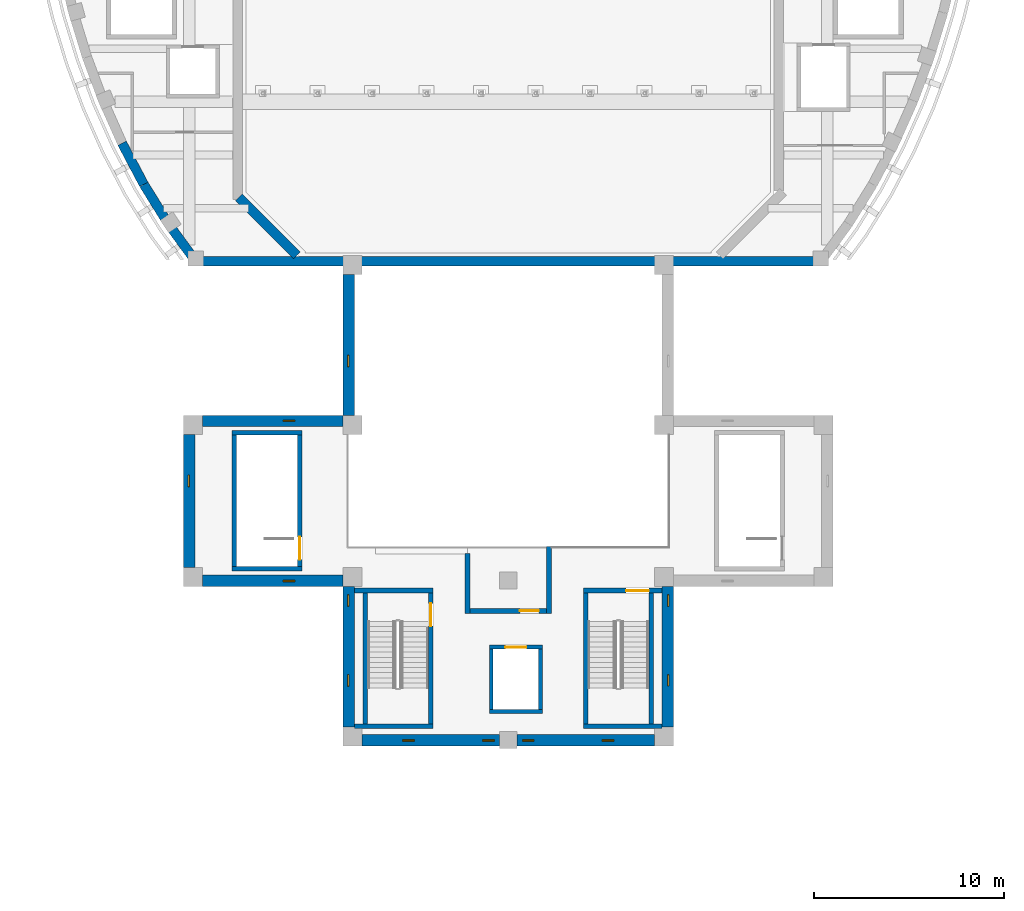
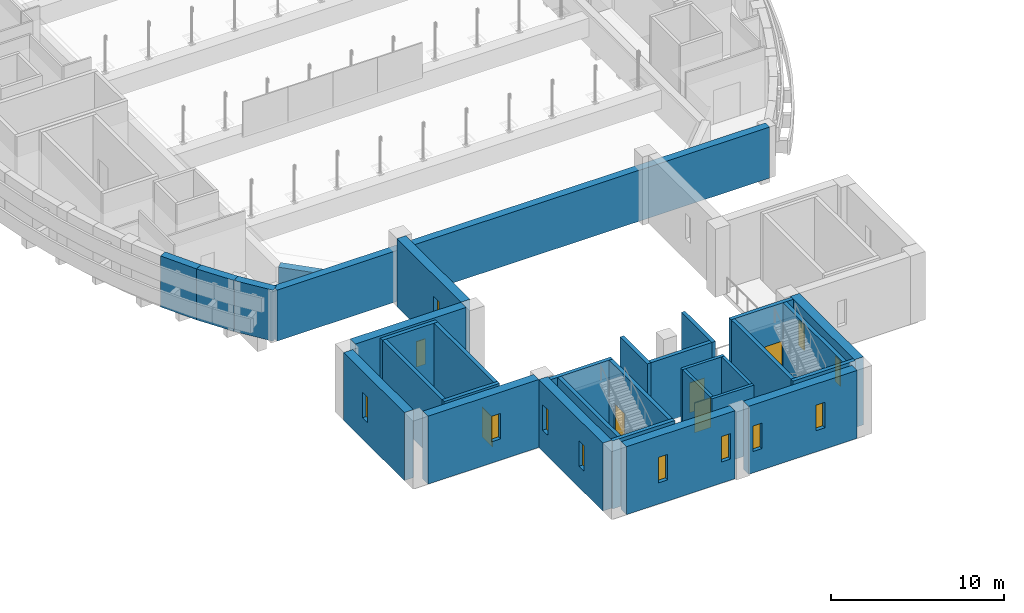
# One storey, part 24 of 47: 32 walls, 12 windows, 5 doors, 17 openings.
"""IFC4 building model written with IfcOpenShell, lengths in metres."""

from ifc_helpers import new_model, si_unit, direction, frame, frame_2d, origin, place, context, subcontext, project, spatial, rectangle, extrude, material, layer, layer_set, type_object, element, fill, save


model = new_model("IFC4")

# Units and contexts
model_context = context("Model", 3, precision=1e-05, world=origin(), true_north=direction((0.0, 1.0)))
body_context = subcontext(model_context, "Body", "Model", "MODEL_VIEW")
ifc_project = project(units=[si_unit("LENGTHUNIT", "METRE"), si_unit("AREAUNIT", "SQUARE_METRE"), si_unit("VOLUMEUNIT", "CUBIC_METRE"), si_unit("PLANEANGLEUNIT", "RADIAN"), si_unit("MASSUNIT", "GRAM", prefix="KILO")], contexts=[model_context])

# Site, building, storey
site_placement = place(None, origin())
site = spatial("IfcSite", under=ifc_project, at=site_placement, CompositionType="ELEMENT")
building_placement = place(site_placement, origin())
building = spatial("IfcBuilding", under=site, at=building_placement, Name="Larchfold Concert Hall", CompositionType="ELEMENT")
storey_placement = place(building_placement, frame((0.0, 0.0, 24.0)))
storey = spatial("IfcBuildingStorey", under=building, at=storey_placement, Name="L05", CompositionType="ELEMENT", Elevation=24.0)

# Walls
ifc_material_1 = material(Name="Plasterboard partition on steel studs", Category="steel")
ifc_layer_1 = layer(ifc_material_1, 0.25)
ifc_layer_set_1 = layer_set([ifc_layer_1], Name="Plasterboard partition on steel studs")
wall_type_1 = type_object("IfcWallType", Name="Hall acoustic double-leaf partition 250", PredefinedType="PARTITIONING", material=ifc_layer_set_1)
wall_1_placement = place(storey_placement, frame((40.449951171875, 40.875, 0.0), z_axis=(0.0, 0.0, 1.0), x_axis=(0.0, 1.0, 0.0)))
element("IfcWall", 1, at=wall_1_placement, inside=storey, type_object=wall_type_1, Name="Partition IW0040", PredefinedType="PARTITIONING", context=body_context, shape_type="SweptSolid", body=[
    extrude(rectangle(XDim=3.14404296875, YDim=0.25, at=frame_2d((1.572021484375, 0.0))), origin(), (0.0, 0.0, 1.0), 4.52001953125),
])
wall_2_placement = place(storey_placement, frame((44.75, 44.39990234375, 0.0), z_axis=(0.0, 0.0, 1.0), x_axis=(0.0, -1.0, 0.0)))
element("IfcWall", 2, at=wall_2_placement, inside=storey, type_object=wall_type_1, Name="Partition IW0041", PredefinedType="PARTITIONING", context=body_context, shape_type="SweptSolid", body=[
    extrude(rectangle(XDim=3.52490234375, YDim=0.25, at=frame_2d((1.762451171875, 0.0))), origin(), (0.0, 0.0, 1.0), 4.52001953125),
])

# Wall, opening, door
wall_3_placement = place(storey_placement, frame((44.625, 41.0, 0.0), z_axis=(0.0, 0.0, 1.0), x_axis=(-1.0, 0.0, 0.0)))
wall_3 = element("IfcWall", 3, at=wall_3_placement, inside=storey, type_object=wall_type_1, Name="Partition IW0042", PredefinedType="PARTITIONING", context=body_context, shape_type="SweptSolid", body=[
    extrude(rectangle(XDim=4.050048828125, YDim=0.25, at=frame_2d((2.02490234375, 0.0))), origin(), (0.0, 0.0, 1.0), 4.52001953125),
])
opening_1_placement = place(wall_3_placement, frame((0.4150390625, 0.0, 0.0)))
opening_1 = element("IfcOpeningElement", 4, at=opening_1_placement, cuts=wall_3, Name="Opening D-L05-108", PredefinedType="OPENING", context=body_context, shape_type="SweptSolid", body=[
    extrude(rectangle(XDim=1.0, YDim=2.10009765625, at=frame_2d((0.5, 1.050048828125))), frame((0.0, 0.135009765625, 0.0), z_axis=(0.0, -1.0, 0.0), x_axis=(1.0, 0.0, 0.0)), (0.0, 0.0, 1.0), 0.27001953125),
])
ifc_material_2 = material(Name="Timber door leaf", Category="wood")
door_type_1 = type_object("IfcDoorType", Name="Practice and studio door, acoustic 1000 x 2100 FD30S", OperationType="SINGLE_SWING_LEFT", PredefinedType="DOOR", material=ifc_material_2)
door_1_placement = place(opening_1_placement, origin())
door_1 = element("IfcDoor", 5, at=door_1_placement, inside=storey, type_object=door_type_1, Name="Door D-L05-108", OperationType="SINGLE_SWING_RIGHT", OverallHeight=2.10009765625, OverallWidth=1.0, PredefinedType="DOOR", context=body_context, shape_type="SweptSolid", body=[
    extrude(rectangle(XDim=1.0, YDim=2.10009765625, at=frame_2d((0.5, 1.050048828125))), frame((0.0, 0.02490234375, 0.0), z_axis=(0.0, -1.0, 0.0), x_axis=(1.0, 0.0, 0.0)), (0.0, 0.0, 1.0), 0.050048828125),
])
fill(opening_1, door_1)

# Wall
ifc_material_3 = material(Name="Concrete C40/50", Category="concrete")
ifc_layer_2 = layer(ifc_material_3, 0.199951171875)
ifc_layer_set_2 = layer_set([ifc_layer_2], Name="Concrete C40/50")
wall_type_2 = type_object("IfcWallType", Name="Wall RC 200 lift shaft", PredefinedType="SOLIDWALL", material=ifc_layer_set_2)
wall_4_placement = place(storey_placement, frame((41.60009765625, 35.7001953125, 0.0), z_axis=(0.0, 0.0, 1.0), x_axis=(1.0, 0.0, 0.0)))
element("IfcWall", 6, at=wall_4_placement, inside=storey, type_object=wall_type_2, Name="Wall W0101", PredefinedType="SOLIDWALL", context=body_context, shape_type="SweptSolid", body=[
    extrude(rectangle(XDim=2.7998046875, YDim=0.199951171875, at=frame_2d((1.39990234375, 0.0))), origin(), (0.0, 0.0, 1.0), 4.800048828125),
])

# Wall, opening, door
wall_5_placement = place(storey_placement, frame((41.60009765625, 39.099853515625, 0.0), z_axis=(0.0, 0.0, 1.0), x_axis=(1.0, 0.0, 0.0)))
wall_5 = element("IfcWall", 7, at=wall_5_placement, inside=storey, type_object=wall_type_2, Name="Wall W0102", PredefinedType="SOLIDWALL", context=body_context, shape_type="SweptSolid", body=[
    extrude(rectangle(XDim=2.7998046875, YDim=0.199951171875, at=frame_2d((1.39990234375, 0.0))), origin(), (0.0, 0.0, 1.0), 4.800048828125),
])
opening_2_placement = place(wall_5_placement, frame((0.849853515625, 0.0, 0.0)))
opening_2 = element("IfcOpeningElement", 8, at=opening_2_placement, cuts=wall_5, Name="Opening LD-LF05", PredefinedType="OPENING", context=body_context, shape_type="SweptSolid", body=[
    extrude(rectangle(XDim=1.10009765625, YDim=2.10009765625, at=frame_2d((0.550048828125, 1.050048828125))), frame((0.0, 0.10986328125, 0.0), z_axis=(0.0, -1.0, 0.0), x_axis=(1.0, 0.0, 0.0)), (0.0, 0.0, 1.0), 0.219970703125),
])
ifc_material_4 = material(Name="Stainless steel sliding leaves", Category="steel")
door_type_2 = type_object("IfcDoorType", Name="Lift landing door sliding 1100 x 2100", OperationType="SLIDING_TO_LEFT", PredefinedType="DOOR", material=ifc_material_4)
door_2_placement = place(opening_2_placement, origin())
door_2 = element("IfcDoor", 9, at=door_2_placement, inside=storey, type_object=door_type_2, Name="Lift landing door LF05", OperationType="SLIDING_TO_LEFT", OverallHeight=2.10009765625, OverallWidth=1.10009765625, PredefinedType="DOOR", context=body_context, shape_type="SweptSolid", body=[
    extrude(rectangle(XDim=1.10009765625, YDim=2.10009765625, at=frame_2d((0.550048828125, 1.050048828125))), frame((0.0, 0.02490234375, 0.0), z_axis=(0.0, -1.0, 0.0), x_axis=(1.0, 0.0, 0.0)), (0.0, 0.0, 1.0), 0.050048828125),
])
fill(opening_2, door_2)

# Walls
for number, where, z_axis, x_axis, name in (
    (10, (41.7001953125, 35.800048828125, 0.0), (0.0, 0.0, 1.0), (0.0, 1.0, 0.0), "Wall W0103"),
    (11, (44.2998046875, 35.800048828125, 0.0), (0.0, 0.0, 1.0), (0.0, 1.0, 0.0), "Wall W0104"),
):
    element("IfcWall", number, at=place(storey_placement, frame(where, z_axis=z_axis, x_axis=x_axis)), inside=storey, type_object=wall_type_2, Name=name, PredefinedType="SOLIDWALL", context=body_context, shape_type="SweptSolid", body=[
        extrude(rectangle(XDim=3.199951171875, YDim=0.199951171875, at=frame_2d((1.60009765625, 0.0))), origin(), (0.0, 0.0, 1.0), 4.800048828125),
    ])
ifc_material_5 = material(Name="Concrete C40/50", Category="concrete")
ifc_layer_3 = layer(ifc_material_5, 0.25)
ifc_layer_set_3 = layer_set([ifc_layer_3], Name="Concrete C40/50")
wall_type_3 = type_object("IfcWallType", Name="Wall RC 250 stair core", PredefinedType="SOLIDWALL", material=ifc_layer_set_3)
for number, where, z_axis, x_axis, name in (
    (12, (28.050048828125, 43.22509765625, 0.0), (0.0, 0.0, 1.0), (1.0, 0.0, 0.0), "Wall W0057"),
    (13, (28.050048828125, 50.375, 0.0), (0.0, 0.0, 1.0), (1.0, 0.0, 0.0), "Wall W0058"),
):
    element("IfcWall", number, at=place(storey_placement, frame(where, z_axis=z_axis, x_axis=x_axis)), inside=storey, type_object=wall_type_3, Name=name, PredefinedType="SOLIDWALL", context=body_context, shape_type="SweptSolid", body=[
        extrude(rectangle(XDim=3.699951171875, YDim=0.25, at=frame_2d((1.85009765625, 0.0))), origin(), (0.0, 0.0, 1.0), 4.800048828125),
    ])
wall_6_placement = place(storey_placement, frame((28.175048828125, 43.35009765625, 0.0), z_axis=(0.0, 0.0, 1.0), x_axis=(0.0, 1.0, 0.0)))
element("IfcWall", 14, at=wall_6_placement, inside=storey, type_object=wall_type_3, Name="Wall W0059", PredefinedType="SOLIDWALL", context=body_context, shape_type="SweptSolid", body=[
    extrude(rectangle(XDim=6.89990234375, YDim=0.25, at=frame_2d((3.449951171875, 0.0))), origin(), (0.0, 0.0, 1.0), 4.800048828125),
])

# Wall, opening, door
wall_7_placement = place(storey_placement, frame((31.625, 43.35009765625, 0.0), z_axis=(0.0, 0.0, 1.0), x_axis=(0.0, 1.0, 0.0)))
wall_7 = element("IfcWall", 15, at=wall_7_placement, inside=storey, type_object=wall_type_3, Name="Wall W0060", PredefinedType="SOLIDWALL", context=body_context, shape_type="SweptSolid", body=[
    extrude(rectangle(XDim=6.89990234375, YDim=0.25, at=frame_2d((3.449951171875, 0.0))), origin(), (0.0, 0.0, 1.0), 4.800048828125),
])
opening_3_placement = place(wall_7_placement, frame((0.35009765625, 0.0, 0.0)))
opening_3 = element("IfcOpeningElement", 16, at=opening_3_placement, cuts=wall_7, Name="Opening D-L05-125", PredefinedType="OPENING", context=body_context, shape_type="SweptSolid", body=[
    extrude(rectangle(XDim=1.199951171875, YDim=2.10009765625, at=frame_2d((0.60009765625, 1.050048828125))), frame((0.0, 0.135009765625, 0.0), z_axis=(0.0, -1.0, 0.0), x_axis=(1.0, 0.0, 0.0)), (0.0, 0.0, 1.0), 0.27001953125),
])
ifc_material_6 = material(Name="Timber door leaf", Category="wood")
door_type_3 = type_object("IfcDoorType", Name="Stair enclosure door pair 1200 x 2100 FD60", OperationType="SINGLE_SWING_LEFT", PredefinedType="DOOR", material=ifc_material_6)
door_3_placement = place(opening_3_placement, origin())
door_3 = element("IfcDoor", 17, at=door_3_placement, inside=storey, type_object=door_type_3, Name="Door D-L05-125", OperationType="DOUBLE_DOOR_SINGLE_SWING", OverallHeight=2.10009765625, OverallWidth=1.199951171875, PredefinedType="DOOR", context=body_context, shape_type="SweptSolid", body=[
    extrude(rectangle(XDim=1.199951171875, YDim=2.10009765625, at=frame_2d((0.60009765625, 1.050048828125))), frame((0.0, 0.02490234375, 0.0), z_axis=(0.0, -1.0, 0.0), x_axis=(1.0, 0.0, 0.0)), (0.0, 0.0, 1.0), 0.050048828125),
])
fill(opening_3, door_3)

# Walls
for number, where, z_axis, x_axis, name in (
    (18, (34.5, 34.925048828125, 0.0), (0.0, 0.0, 1.0), (1.0, 0.0, 0.0), "Wall W0065"),
    (19, (34.5, 42.074951171875, 0.0), (0.0, 0.0, 1.0), (1.0, 0.0, 0.0), "Wall W0066"),
):
    element("IfcWall", number, at=place(storey_placement, frame(where, z_axis=z_axis, x_axis=x_axis)), inside=storey, type_object=wall_type_3, Name=name, PredefinedType="SOLIDWALL", context=body_context, shape_type="SweptSolid", body=[
        extrude(rectangle(XDim=4.14990234375, YDim=0.25, at=frame_2d((2.074951171875, 0.0))), origin(), (0.0, 0.0, 1.0), 4.800048828125),
    ])
wall_8_placement = place(storey_placement, frame((35.074951171875, 35.050048828125, 0.0), z_axis=(0.0, 0.0, 1.0), x_axis=(0.0, 1.0, 0.0)))
element("IfcWall", 20, at=wall_8_placement, inside=storey, type_object=wall_type_3, Name="Wall W0067", PredefinedType="SOLIDWALL", context=body_context, shape_type="SweptSolid", body=[
    extrude(rectangle(XDim=6.89990234375, YDim=0.25, at=frame_2d((3.449951171875, 0.0))), origin(), (0.0, 0.0, 1.0), 4.800048828125),
])

# Wall, opening, door
wall_9_placement = place(storey_placement, frame((38.52490234375, 35.050048828125, 0.0), z_axis=(0.0, 0.0, 1.0), x_axis=(0.0, 1.0, 0.0)))
wall_9 = element("IfcWall", 21, at=wall_9_placement, inside=storey, type_object=wall_type_3, Name="Wall W0068", PredefinedType="SOLIDWALL", context=body_context, shape_type="SweptSolid", body=[
    extrude(rectangle(XDim=6.89990234375, YDim=0.25, at=frame_2d((3.449951171875, 0.0))), origin(), (0.0, 0.0, 1.0), 4.800048828125),
])
opening_4_placement = place(wall_9_placement, frame((5.14990234375, 0.0, 0.0)))
opening_4 = element("IfcOpeningElement", 22, at=opening_4_placement, cuts=wall_9, Name="Opening D-L05-123", PredefinedType="OPENING", context=body_context, shape_type="SweptSolid", body=[
    extrude(rectangle(XDim=1.199951171875, YDim=2.10009765625, at=frame_2d((0.60009765625, 1.050048828125))), frame((0.0, 0.135009765625, 0.0), z_axis=(0.0, -1.0, 0.0), x_axis=(1.0, 0.0, 0.0)), (0.0, 0.0, 1.0), 0.27001953125),
])
door_4_placement = place(opening_4_placement, origin())
door_4 = element("IfcDoor", 23, at=door_4_placement, inside=storey, type_object=door_type_3, Name="Door D-L05-123", OperationType="DOUBLE_DOOR_SINGLE_SWING", OverallHeight=2.10009765625, OverallWidth=1.199951171875, PredefinedType="DOOR", context=body_context, shape_type="SweptSolid", body=[
    extrude(rectangle(XDim=1.199951171875, YDim=2.10009765625, at=frame_2d((0.60009765625, 1.050048828125))), frame((0.0, 0.02490234375, 0.0), z_axis=(0.0, -1.0, 0.0), x_axis=(1.0, 0.0, 0.0)), (0.0, 0.0, 1.0), 0.050048828125),
])
fill(opening_4, door_4)

# Wall
wall_10_placement = place(storey_placement, frame((46.550048828125, 34.925048828125, 0.0), z_axis=(0.0, 0.0, 1.0), x_axis=(1.0, 0.0, 0.0)))
element("IfcWall", 24, at=wall_10_placement, inside=storey, type_object=wall_type_3, Name="Wall W0069", PredefinedType="SOLIDWALL", context=body_context, shape_type="SweptSolid", body=[
    extrude(rectangle(XDim=4.14990234375, YDim=0.25, at=frame_2d((2.074951171875, 0.0))), origin(), (0.0, 0.0, 1.0), 4.800048828125),
])

# Wall, opening, door
wall_11_placement = place(storey_placement, frame((46.550048828125, 42.074951171875, 0.0), z_axis=(0.0, 0.0, 1.0), x_axis=(1.0, 0.0, 0.0)))
wall_11 = element("IfcWall", 25, at=wall_11_placement, inside=storey, type_object=wall_type_3, Name="Wall W0070", PredefinedType="SOLIDWALL", context=body_context, shape_type="SweptSolid", body=[
    extrude(rectangle(XDim=4.14990234375, YDim=0.25, at=frame_2d((2.074951171875, 0.0))), origin(), (0.0, 0.0, 1.0), 4.800048828125),
])
opening_5_placement = place(wall_11_placement, frame((2.25, 0.0, 0.0)))
opening_5 = element("IfcOpeningElement", 26, at=opening_5_placement, cuts=wall_11, Name="Opening D-L05-124", PredefinedType="OPENING", context=body_context, shape_type="SweptSolid", body=[
    extrude(rectangle(XDim=1.199951171875, YDim=2.10009765625, at=frame_2d((0.60009765625, 1.050048828125))), frame((0.0, 0.135009765625, 0.0), z_axis=(0.0, -1.0, 0.0), x_axis=(1.0, 0.0, 0.0)), (0.0, 0.0, 1.0), 0.27001953125),
])
door_5_placement = place(opening_5_placement, origin())
door_5 = element("IfcDoor", 27, at=door_5_placement, inside=storey, type_object=door_type_3, Name="Door D-L05-124", OperationType="DOUBLE_DOOR_SINGLE_SWING", OverallHeight=2.10009765625, OverallWidth=1.199951171875, PredefinedType="DOOR", context=body_context, shape_type="SweptSolid", body=[
    extrude(rectangle(XDim=1.199951171875, YDim=2.10009765625, at=frame_2d((0.60009765625, 1.050048828125))), frame((0.0, 0.02490234375, 0.0), z_axis=(0.0, -1.0, 0.0), x_axis=(1.0, 0.0, 0.0)), (0.0, 0.0, 1.0), 0.050048828125),
])
fill(opening_5, door_5)

# Walls
for number, where, z_axis, x_axis, name in (
    (28, (46.675048828125, 35.050048828125, 0.0), (0.0, 0.0, 1.0), (0.0, 1.0, 0.0), "Wall W0071"),
    (29, (50.125, 35.050048828125, 0.0), (0.0, 0.0, 1.0), (0.0, 1.0, 0.0), "Wall W0072"),
):
    element("IfcWall", number, at=place(storey_placement, frame(where, z_axis=z_axis, x_axis=x_axis)), inside=storey, type_object=wall_type_3, Name=name, PredefinedType="SOLIDWALL", context=body_context, shape_type="SweptSolid", body=[
        extrude(rectangle(XDim=6.89990234375, YDim=0.25, at=frame_2d((3.449951171875, 0.0))), origin(), (0.0, 0.0, 1.0), 4.800048828125),
    ])
ifc_material_7 = material(Name="Concrete C30/37", Category="concrete")
ifc_layer_4 = layer(ifc_material_7, 0.5)
ifc_layer_set_4 = layer_set([ifc_layer_4], Name="Concrete C30/37")
wall_type_4 = type_object("IfcWallType", Name="Wall RC 500 drum facade", PredefinedType="SOLIDWALL", material=ifc_layer_set_4)
wall_12_placement = place(storey_placement, frame((22.27197265625, 65.621826171875, 0.0), z_axis=(0.0, 0.0, 1.0), x_axis=(0.466448872517, -0.884548161112, 0.0)))
element("IfcWall", 30, at=wall_12_placement, inside=storey, type_object=wall_type_4, Name="Wall DW047", PredefinedType="SOLIDWALL", context=body_context, shape_type="SweptSolid", body=[
    extrude(rectangle(XDim=2.448974609375, YDim=0.5, at=frame_2d((1.224609375, 0.0))), origin(), (0.0, 0.0, 1.0), 3.60009765625),
])
wall_13_placement = place(storey_placement, frame((23.414306640625, 63.45556640625, 0.0), z_axis=(0.0, 0.0, 1.0), x_axis=(0.527702820527, -0.849429063082, 0.0)))
element("IfcWall", 31, at=wall_13_placement, inside=storey, type_object=wall_type_4, Name="Wall DW048", PredefinedType="SOLIDWALL", context=body_context, shape_type="SweptSolid", body=[
    extrude(rectangle(XDim=2.44873046875, YDim=0.5, at=frame_2d((1.224365234375, 0.0))), origin(), (0.0, 0.0, 1.0), 3.60009765625),
])
wall_14_placement = place(storey_placement, frame((24.70654296875, 61.37548828125, 0.0), z_axis=(0.0, 0.0, 1.0), x_axis=(0.590771306399, -0.806839056774, 0.0)))
element("IfcWall", 32, at=wall_14_placement, inside=storey, type_object=wall_type_4, Name="Wall DW049", PredefinedType="SOLIDWALL", context=body_context, shape_type="SweptSolid", body=[
    extrude(rectangle(XDim=2.448486328125, YDim=0.5, at=frame_2d((1.22412109375, 0.0))), origin(), (0.0, 0.0, 1.0), 3.60009765625),
])
wall_15_placement = place(storey_placement, frame((26.153076171875, 59.39990234375, 0.0), z_axis=(0.0, 0.0, 1.0), x_axis=(1.0, 0.0, 0.0)))
element("IfcWall", 33, at=wall_15_placement, inside=storey, type_object=wall_type_4, Name="Wall DW050", PredefinedType="SOLIDWALL", context=body_context, shape_type="SweptSolid", body=[
    extrude(rectangle(XDim=32.89404296875, YDim=0.5, at=frame_2d((16.447021484375, 0.0))), origin(), (0.0, 0.0, 1.0), 3.60009765625),
])
ifc_material_8 = material(Name="Concrete C40/50", Category="concrete")
ifc_layer_5 = layer(ifc_material_8, 0.5)
ifc_layer_set_5 = layer_set([ifc_layer_5], Name="Concrete C40/50")
wall_type_5 = type_object("IfcWallType", Name="Wall RC 500 hall shell", PredefinedType="SOLIDWALL", material=ifc_layer_set_5)
wall_16_placement = place(storey_placement, frame((28.4228515625, 62.777099609375, 0.0), z_axis=(0.0, 0.0, 1.0), x_axis=(0.707106781187, -0.707106781187, 0.0)))
element("IfcWall", 34, at=wall_16_placement, inside=storey, type_object=wall_type_5, Name="Wall W0007", PredefinedType="SOLIDWALL", context=body_context, shape_type="SweptSolid", body=[
    extrude(rectangle(XDim=4.319580078125, YDim=0.5, at=frame_2d((2.15966796875, 0.0))), origin(), (0.0, 0.0, 1.0), 2.39990234375),
])

# Wall, opening, window
ifc_material_9 = material(Name="Concrete C40/50", Category="concrete")
ifc_layer_6 = layer(ifc_material_9, 0.60009765625)
ifc_layer_set_6 = layer_set([ifc_layer_6], Name="Concrete C40/50")
wall_type_6 = type_object("IfcWallType", Name="Wall RC 600 stage house", PredefinedType="SOLIDWALL", material=ifc_layer_set_6)
wall_17_placement = place(storey_placement, frame((34.199951171875, 58.699951171875, 0.0), z_axis=(0.0, 0.0, 1.0), x_axis=(0.0, -1.0, 0.0)))
wall_17 = element("IfcWall", 35, at=wall_17_placement, inside=storey, type_object=wall_type_6, Name="Wall W0012", PredefinedType="SOLIDWALL", context=body_context, shape_type="SweptSolid", body=[
    extrude(rectangle(XDim=7.39990234375, YDim=0.60009765625, at=frame_2d((3.699951171875, 0.0))), origin(), (0.0, 0.0, 1.0), 4.800048828125),
])
opening_6_placement = place(wall_17_placement, frame((4.25, 0.0, 1.5)))
opening_6 = element("IfcOpeningElement", 36, at=opening_6_placement, cuts=wall_17, Name="Opening WN-L05-005", PredefinedType="OPENING", context=body_context, shape_type="SweptSolid", body=[
    extrude(rectangle(XDim=0.60009765625, YDim=1.800048828125, at=frame_2d((0.300048828125, 0.89990234375))), frame((0.0, 0.31005859375, 0.0), z_axis=(0.0, -1.0, 0.0), x_axis=(1.0, 0.0, 0.0)), (0.0, 0.0, 1.0), 0.6201171875),
])
ifc_material_10 = material(Name="Anodised graphite aluminium frame with glass", Category="aluminium")
window_type = type_object("IfcWindowType", Name="Gallery slit window 600x1800", PartitioningType="SINGLE_PANEL", PredefinedType="WINDOW", material=ifc_material_10)
window_1_placement = place(opening_6_placement, origin())
window_1 = element("IfcWindow", 37, at=window_1_placement, inside=storey, type_object=window_type, Name="Window WN-L05-005", OverallHeight=1.800048828125, OverallWidth=0.60009765625, PartitioningType="SINGLE_PANEL", PredefinedType="WINDOW", context=body_context, shape_type="SweptSolid", body=[
    extrude(rectangle(XDim=0.60009765625, YDim=1.800048828125, at=frame_2d((0.300048828125, 0.89990234375))), frame((0.0, 0.010009765625, 0.0), z_axis=(0.0, -1.0, 0.0), x_axis=(1.0, 0.0, 0.0)), (0.0, 0.0, 1.0), 0.06005859375),
])
fill(opening_6, window_1)

wall_18_placement = place(storey_placement, frame((33.89990234375, 51.0, 0.0), z_axis=(0.0, 0.0, 1.0), x_axis=(-1.0, 0.0, 0.0)))
wall_18 = element("IfcWall", 38, at=wall_18_placement, inside=storey, type_object=wall_type_6, Name="Wall W0013", PredefinedType="SOLIDWALL", context=body_context, shape_type="SweptSolid", body=[
    extrude(rectangle(XDim=7.39990234375, YDim=0.60009765625, at=frame_2d((3.699951171875, 0.0))), origin(), (0.0, 0.0, 1.0), 4.800048828125),
])
opening_7_placement = place(wall_18_placement, frame((2.5498046875, 0.0, 1.5)))
opening_7 = element("IfcOpeningElement", 39, at=opening_7_placement, cuts=wall_18, Name="Opening WN-L05-006", PredefinedType="OPENING", context=body_context, shape_type="SweptSolid", body=[
    extrude(rectangle(XDim=0.60009765625, YDim=1.800048828125, at=frame_2d((0.300048828125, 0.89990234375))), frame((0.0, 0.31005859375, 0.0), z_axis=(0.0, -1.0, 0.0), x_axis=(1.0, 0.0, 0.0)), (0.0, 0.0, 1.0), 0.6201171875),
])
window_2_placement = place(opening_7_placement, origin())
window_2 = element("IfcWindow", 40, at=window_2_placement, inside=storey, type_object=window_type, Name="Window WN-L05-006", OverallHeight=1.800048828125, OverallWidth=0.60009765625, PartitioningType="SINGLE_PANEL", PredefinedType="WINDOW", context=body_context, shape_type="SweptSolid", body=[
    extrude(rectangle(XDim=0.60009765625, YDim=1.800048828125, at=frame_2d((0.300048828125, 0.89990234375))), frame((0.0, 0.010009765625, 0.0), z_axis=(0.0, -1.0, 0.0), x_axis=(1.0, 0.0, 0.0)), (0.0, 0.0, 1.0), 0.06005859375),
])
fill(opening_7, window_2)

wall_19_placement = place(storey_placement, frame((25.800048828125, 50.300048828125, 0.0), z_axis=(0.0, 0.0, 1.0), x_axis=(0.0, -1.0, 0.0)))
wall_19 = element("IfcWall", 41, at=wall_19_placement, inside=storey, type_object=wall_type_6, Name="Wall W0014", PredefinedType="SOLIDWALL", context=body_context, shape_type="SweptSolid", body=[
    extrude(rectangle(XDim=7.0, YDim=0.60009765625, at=frame_2d((3.5, 0.0))), origin(), (0.0, 0.0, 1.0), 4.800048828125),
])
opening_8_placement = place(wall_19_placement, frame((2.150146484375, 0.0, 1.5)))
opening_8 = element("IfcOpeningElement", 42, at=opening_8_placement, cuts=wall_19, Name="Opening WN-L05-007", PredefinedType="OPENING", context=body_context, shape_type="SweptSolid", body=[
    extrude(rectangle(XDim=0.60009765625, YDim=1.800048828125, at=frame_2d((0.300048828125, 0.89990234375))), frame((0.0, 0.31005859375, 0.0), z_axis=(0.0, -1.0, 0.0), x_axis=(1.0, 0.0, 0.0)), (0.0, 0.0, 1.0), 0.6201171875),
])
window_3_placement = place(opening_8_placement, origin())
window_3 = element("IfcWindow", 43, at=window_3_placement, inside=storey, type_object=window_type, Name="Window WN-L05-007", OverallHeight=1.800048828125, OverallWidth=0.60009765625, PartitioningType="SINGLE_PANEL", PredefinedType="WINDOW", context=body_context, shape_type="SweptSolid", body=[
    extrude(rectangle(XDim=0.60009765625, YDim=1.800048828125, at=frame_2d((0.300048828125, 0.89990234375))), frame((0.0, 0.010009765625, 0.0), z_axis=(0.0, -1.0, 0.0), x_axis=(1.0, 0.0, 0.0)), (0.0, 0.0, 1.0), 0.06005859375),
])
fill(opening_8, window_3)

wall_20_placement = place(storey_placement, frame((26.5, 42.60009765625, 0.0), z_axis=(0.0, 0.0, 1.0), x_axis=(1.0, 0.0, 0.0)))
wall_20 = element("IfcWall", 44, at=wall_20_placement, inside=storey, type_object=wall_type_6, Name="Wall W0015", PredefinedType="SOLIDWALL", context=body_context, shape_type="SweptSolid", body=[
    extrude(rectangle(XDim=7.39990234375, YDim=0.60009765625, at=frame_2d((3.699951171875, 0.0))), origin(), (0.0, 0.0, 1.0), 4.800048828125),
])
opening_9_placement = place(wall_20_placement, frame((4.25, 0.0, 1.5)))
opening_9 = element("IfcOpeningElement", 45, at=opening_9_placement, cuts=wall_20, Name="Opening WN-L05-008", PredefinedType="OPENING", context=body_context, shape_type="SweptSolid", body=[
    extrude(rectangle(XDim=0.60009765625, YDim=1.800048828125, at=frame_2d((0.300048828125, 0.89990234375))), frame((0.0, 0.31005859375, 0.0), z_axis=(0.0, -1.0, 0.0), x_axis=(1.0, 0.0, 0.0)), (0.0, 0.0, 1.0), 0.6201171875),
])
window_4_placement = place(opening_9_placement, origin())
window_4 = element("IfcWindow", 46, at=window_4_placement, inside=storey, type_object=window_type, Name="Window WN-L05-008", OverallHeight=1.800048828125, OverallWidth=0.60009765625, PartitioningType="SINGLE_PANEL", PredefinedType="WINDOW", context=body_context, shape_type="SweptSolid", body=[
    extrude(rectangle(XDim=0.60009765625, YDim=1.800048828125, at=frame_2d((0.300048828125, 0.89990234375))), frame((0.0, 0.010009765625, 0.0), z_axis=(0.0, -1.0, 0.0), x_axis=(1.0, 0.0, 0.0)), (0.0, 0.0, 1.0), 0.06005859375),
])
fill(opening_9, window_4)

# Wall, openings, windows
wall_21_placement = place(storey_placement, frame((34.199951171875, 42.300048828125, 0.0), z_axis=(0.0, 0.0, 1.0), x_axis=(0.0, -1.0, 0.0)))
wall_21 = element("IfcWall", 47, at=wall_21_placement, inside=storey, type_object=wall_type_6, Name="Wall W0016", PredefinedType="SOLIDWALL", context=body_context, shape_type="SweptSolid", body=[
    extrude(rectangle(XDim=7.400146484375, YDim=0.60009765625, at=frame_2d((3.7001953125, 0.0))), origin(), (0.0, 0.0, 1.0), 4.800048828125),
])
opening_10_placement = place(wall_21_placement, frame((4.650146484375, 0.0, 1.5)))
opening_10 = element("IfcOpeningElement", 48, at=opening_10_placement, cuts=wall_21, Name="Opening WN-L05-009", PredefinedType="OPENING", context=body_context, shape_type="SweptSolid", body=[
    extrude(rectangle(XDim=0.60009765625, YDim=1.800048828125, at=frame_2d((0.300048828125, 0.89990234375))), frame((0.0, 0.31005859375, 0.0), z_axis=(0.0, -1.0, 0.0), x_axis=(1.0, 0.0, 0.0)), (0.0, 0.0, 1.0), 0.6201171875),
])
opening_11_placement = place(wall_21_placement, frame((0.454833984375, 0.0, 1.5)))
opening_11 = element("IfcOpeningElement", 49, at=opening_11_placement, cuts=wall_21, Name="Opening WN-L05-010", PredefinedType="OPENING", context=body_context, shape_type="SweptSolid", body=[
    extrude(rectangle(XDim=0.60009765625, YDim=1.800048828125, at=frame_2d((0.300048828125, 0.89990234375))), frame((0.0, 0.31005859375, 0.0), z_axis=(0.0, -1.0, 0.0), x_axis=(1.0, 0.0, 0.0)), (0.0, 0.0, 1.0), 0.6201171875),
])
window_5_placement = place(opening_10_placement, origin())
window_5 = element("IfcWindow", 50, at=window_5_placement, inside=storey, type_object=window_type, Name="Window WN-L05-009", OverallHeight=1.800048828125, OverallWidth=0.60009765625, PartitioningType="SINGLE_PANEL", PredefinedType="WINDOW", context=body_context, shape_type="SweptSolid", body=[
    extrude(rectangle(XDim=0.60009765625, YDim=1.800048828125, at=frame_2d((0.300048828125, 0.89990234375))), frame((0.0, 0.010009765625, 0.0), z_axis=(0.0, -1.0, 0.0), x_axis=(1.0, 0.0, 0.0)), (0.0, 0.0, 1.0), 0.06005859375),
])
fill(opening_10, window_5)
window_6_placement = place(opening_11_placement, origin())
window_6 = element("IfcWindow", 51, at=window_6_placement, inside=storey, type_object=window_type, Name="Window WN-L05-010", OverallHeight=1.800048828125, OverallWidth=0.60009765625, PartitioningType="SINGLE_PANEL", PredefinedType="WINDOW", context=body_context, shape_type="SweptSolid", body=[
    extrude(rectangle(XDim=0.60009765625, YDim=1.800048828125, at=frame_2d((0.300048828125, 0.89990234375))), frame((0.0, 0.010009765625, 0.0), z_axis=(0.0, -1.0, 0.0), x_axis=(1.0, 0.0, 0.0)), (0.0, 0.0, 1.0), 0.06005859375),
])
fill(opening_11, window_6)

wall_22_placement = place(storey_placement, frame((34.89990234375, 34.199951171875, 0.0), z_axis=(0.0, 0.0, 1.0), x_axis=(1.0, 0.0, 0.0)))
wall_22 = element("IfcWall", 52, at=wall_22_placement, inside=storey, type_object=wall_type_6, Name="Wall W0017", PredefinedType="SOLIDWALL", context=body_context, shape_type="SweptSolid", body=[
    extrude(rectangle(XDim=7.250244140625, YDim=0.60009765625, at=frame_2d((3.625, 0.0))), origin(), (0.0, 0.0, 1.0), 4.800048828125),
])
opening_12_placement = place(wall_22_placement, frame((2.150146484375, 0.0, 1.5)))
opening_12 = element("IfcOpeningElement", 53, at=opening_12_placement, cuts=wall_22, Name="Opening WN-L05-011", PredefinedType="OPENING", context=body_context, shape_type="SweptSolid", body=[
    extrude(rectangle(XDim=0.60009765625, YDim=1.800048828125, at=frame_2d((0.300048828125, 0.89990234375))), frame((0.0, 0.31005859375, 0.0), z_axis=(0.0, -1.0, 0.0), x_axis=(1.0, 0.0, 0.0)), (0.0, 0.0, 1.0), 0.6201171875),
])
opening_13_placement = place(wall_22_placement, frame((6.35009765625, 0.0, 1.5)))
opening_13 = element("IfcOpeningElement", 54, at=opening_13_placement, cuts=wall_22, Name="Opening WN-L05-012", PredefinedType="OPENING", context=body_context, shape_type="SweptSolid", body=[
    extrude(rectangle(XDim=0.60009765625, YDim=1.800048828125, at=frame_2d((0.300048828125, 0.89990234375))), frame((0.0, 0.31005859375, 0.0), z_axis=(0.0, -1.0, 0.0), x_axis=(1.0, 0.0, 0.0)), (0.0, 0.0, 1.0), 0.6201171875),
])
window_7_placement = place(opening_12_placement, origin())
window_7 = element("IfcWindow", 55, at=window_7_placement, inside=storey, type_object=window_type, Name="Window WN-L05-011", OverallHeight=1.800048828125, OverallWidth=0.60009765625, PartitioningType="SINGLE_PANEL", PredefinedType="WINDOW", context=body_context, shape_type="SweptSolid", body=[
    extrude(rectangle(XDim=0.60009765625, YDim=1.800048828125, at=frame_2d((0.300048828125, 0.89990234375))), frame((0.0, 0.010009765625, 0.0), z_axis=(0.0, -1.0, 0.0), x_axis=(1.0, 0.0, 0.0)), (0.0, 0.0, 1.0), 0.06005859375),
])
fill(opening_12, window_7)
window_8_placement = place(opening_13_placement, origin())
window_8 = element("IfcWindow", 56, at=window_8_placement, inside=storey, type_object=window_type, Name="Window WN-L05-012", OverallHeight=1.800048828125, OverallWidth=0.60009765625, PartitioningType="SINGLE_PANEL", PredefinedType="WINDOW", context=body_context, shape_type="SweptSolid", body=[
    extrude(rectangle(XDim=0.60009765625, YDim=1.800048828125, at=frame_2d((0.300048828125, 0.89990234375))), frame((0.0, 0.010009765625, 0.0), z_axis=(0.0, -1.0, 0.0), x_axis=(1.0, 0.0, 0.0)), (0.0, 0.0, 1.0), 0.06005859375),
])
fill(opening_13, window_8)

wall_23_placement = place(storey_placement, frame((43.050048828125, 34.199951171875, 0.0), z_axis=(0.0, 0.0, 1.0), x_axis=(1.0, 0.0, 0.0)))
wall_23 = element("IfcWall", 57, at=wall_23_placement, inside=storey, type_object=wall_type_6, Name="Wall W0018", PredefinedType="SOLIDWALL", context=body_context, shape_type="SweptSolid", body=[
    extrude(rectangle(XDim=7.25, YDim=0.60009765625, at=frame_2d((3.625, 0.0))), origin(), (0.0, 0.0, 1.0), 4.800048828125),
])
opening_14_placement = place(wall_23_placement, frame((0.300048828125, 0.0, 1.5)))
opening_14 = element("IfcOpeningElement", 58, at=opening_14_placement, cuts=wall_23, Name="Opening WN-L05-013", PredefinedType="OPENING", context=body_context, shape_type="SweptSolid", body=[
    extrude(rectangle(XDim=0.60009765625, YDim=1.800048828125, at=frame_2d((0.300048828125, 0.89990234375))), frame((0.0, 0.31005859375, 0.0), z_axis=(0.0, -1.0, 0.0), x_axis=(1.0, 0.0, 0.0)), (0.0, 0.0, 1.0), 0.6201171875),
])
opening_15_placement = place(wall_23_placement, frame((4.5, 0.0, 1.5)))
opening_15 = element("IfcOpeningElement", 59, at=opening_15_placement, cuts=wall_23, Name="Opening WN-L05-014", PredefinedType="OPENING", context=body_context, shape_type="SweptSolid", body=[
    extrude(rectangle(XDim=0.60009765625, YDim=1.800048828125, at=frame_2d((0.300048828125, 0.89990234375))), frame((0.0, 0.31005859375, 0.0), z_axis=(0.0, -1.0, 0.0), x_axis=(1.0, 0.0, 0.0)), (0.0, 0.0, 1.0), 0.6201171875),
])
window_9_placement = place(opening_14_placement, origin())
window_9 = element("IfcWindow", 60, at=window_9_placement, inside=storey, type_object=window_type, Name="Window WN-L05-013", OverallHeight=1.800048828125, OverallWidth=0.60009765625, PartitioningType="SINGLE_PANEL", PredefinedType="WINDOW", context=body_context, shape_type="SweptSolid", body=[
    extrude(rectangle(XDim=0.60009765625, YDim=1.800048828125, at=frame_2d((0.300048828125, 0.89990234375))), frame((0.0, 0.010009765625, 0.0), z_axis=(0.0, -1.0, 0.0), x_axis=(1.0, 0.0, 0.0)), (0.0, 0.0, 1.0), 0.06005859375),
])
fill(opening_14, window_9)
window_10_placement = place(opening_15_placement, origin())
window_10 = element("IfcWindow", 61, at=window_10_placement, inside=storey, type_object=window_type, Name="Window WN-L05-014", OverallHeight=1.800048828125, OverallWidth=0.60009765625, PartitioningType="SINGLE_PANEL", PredefinedType="WINDOW", context=body_context, shape_type="SweptSolid", body=[
    extrude(rectangle(XDim=0.60009765625, YDim=1.800048828125, at=frame_2d((0.300048828125, 0.89990234375))), frame((0.0, 0.010009765625, 0.0), z_axis=(0.0, -1.0, 0.0), x_axis=(1.0, 0.0, 0.0)), (0.0, 0.0, 1.0), 0.06005859375),
])
fill(opening_15, window_10)

wall_24_placement = place(storey_placement, frame((51.0, 34.89990234375, 0.0), z_axis=(0.0, 0.0, 1.0), x_axis=(0.0, 1.0, 0.0)))
wall_24 = element("IfcWall", 62, at=wall_24_placement, inside=storey, type_object=wall_type_6, Name="Wall W0019", PredefinedType="SOLIDWALL", context=body_context, shape_type="SweptSolid", body=[
    extrude(rectangle(XDim=7.400146484375, YDim=0.60009765625, at=frame_2d((3.7001953125, 0.0))), origin(), (0.0, 0.0, 1.0), 4.800048828125),
])
opening_16_placement = place(wall_24_placement, frame((2.150146484375, 0.0, 1.5)))
opening_16 = element("IfcOpeningElement", 63, at=opening_16_placement, cuts=wall_24, Name="Opening WN-L05-015", PredefinedType="OPENING", context=body_context, shape_type="SweptSolid", body=[
    extrude(rectangle(XDim=0.60009765625, YDim=1.800048828125, at=frame_2d((0.300048828125, 0.89990234375))), frame((0.0, 0.31005859375, 0.0), z_axis=(0.0, -1.0, 0.0), x_axis=(1.0, 0.0, 0.0)), (0.0, 0.0, 1.0), 0.6201171875),
])
opening_17_placement = place(wall_24_placement, frame((6.34521484375, 0.0, 1.5)))
opening_17 = element("IfcOpeningElement", 64, at=opening_17_placement, cuts=wall_24, Name="Opening WN-L05-016", PredefinedType="OPENING", context=body_context, shape_type="SweptSolid", body=[
    extrude(rectangle(XDim=0.60009765625, YDim=1.800048828125, at=frame_2d((0.300048828125, 0.89990234375))), frame((0.0, 0.31005859375, 0.0), z_axis=(0.0, -1.0, 0.0), x_axis=(1.0, 0.0, 0.0)), (0.0, 0.0, 1.0), 0.6201171875),
])
window_11_placement = place(opening_16_placement, origin())
window_11 = element("IfcWindow", 65, at=window_11_placement, inside=storey, type_object=window_type, Name="Window WN-L05-015", OverallHeight=1.800048828125, OverallWidth=0.60009765625, PartitioningType="SINGLE_PANEL", PredefinedType="WINDOW", context=body_context, shape_type="SweptSolid", body=[
    extrude(rectangle(XDim=0.60009765625, YDim=1.800048828125, at=frame_2d((0.300048828125, 0.89990234375))), frame((0.0, 0.010009765625, 0.0), z_axis=(0.0, -1.0, 0.0), x_axis=(1.0, 0.0, 0.0)), (0.0, 0.0, 1.0), 0.06005859375),
])
fill(opening_16, window_11)
window_12_placement = place(opening_17_placement, origin())
window_12 = element("IfcWindow", 66, at=window_12_placement, inside=storey, type_object=window_type, Name="Window WN-L05-016", OverallHeight=1.800048828125, OverallWidth=0.60009765625, PartitioningType="SINGLE_PANEL", PredefinedType="WINDOW", context=body_context, shape_type="SweptSolid", body=[
    extrude(rectangle(XDim=0.60009765625, YDim=1.800048828125, at=frame_2d((0.300048828125, 0.89990234375))), frame((0.0, 0.010009765625, 0.0), z_axis=(0.0, -1.0, 0.0), x_axis=(1.0, 0.0, 0.0)), (0.0, 0.0, 1.0), 0.06005859375),
])
fill(opening_17, window_12)

save(model, "model.ifc")
